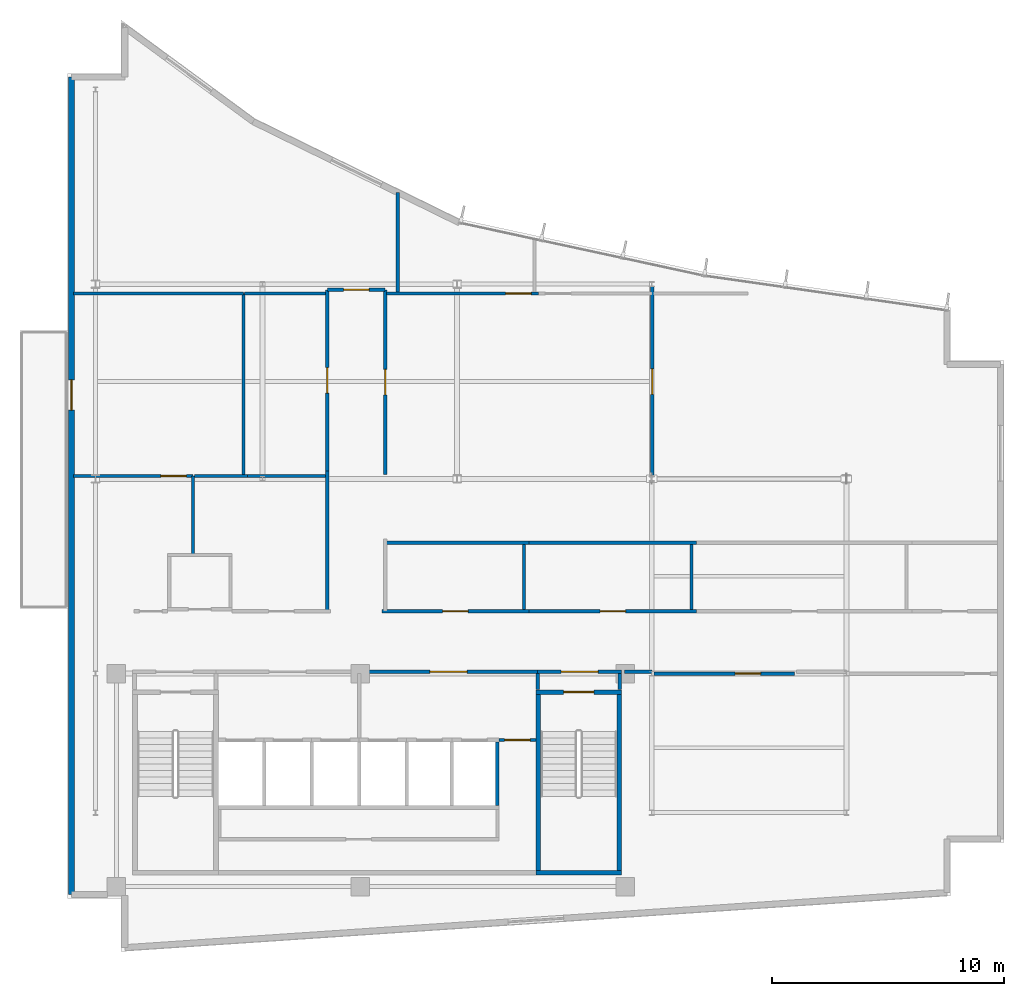
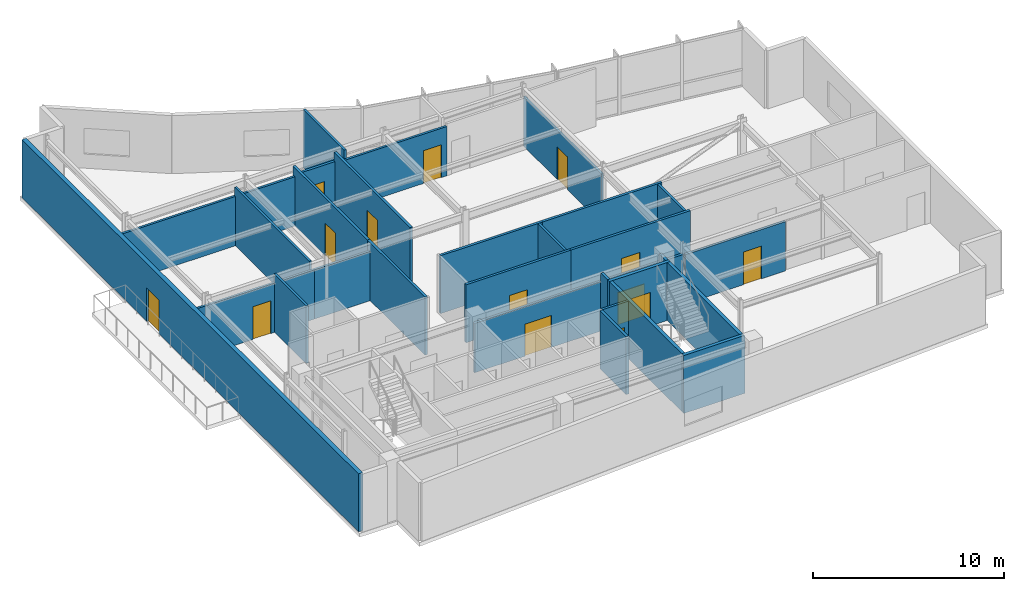
# One storey, part 12 of 16: 33 walls, 14 doors, 14 openings.
"""IFC4 building model written with IfcOpenShell, lengths in metres."""

from ifc_helpers import new_model, si_unit, direction, frame, frame_2d, origin, place, context, subcontext, project, spatial, rectangle, extrude, material, layer, layer_set, type_object, element, fill, save


model = new_model("IFC4")

# Units and contexts
model_context = context("Model", 3, precision=1e-05, world=origin(), true_north=direction((0.0, 1.0)))
body_context = subcontext(model_context, "Body", "Model", "MODEL_VIEW")
ifc_project = project(units=[si_unit("LENGTHUNIT", "METRE"), si_unit("AREAUNIT", "SQUARE_METRE"), si_unit("VOLUMEUNIT", "CUBIC_METRE"), si_unit("PLANEANGLEUNIT", "RADIAN"), si_unit("MASSUNIT", "GRAM", prefix="KILO")], contexts=[model_context])

# Site, building, storey
site_placement = place(None, origin())
site = spatial("IfcSite", under=ifc_project, at=site_placement, CompositionType="ELEMENT")
building_placement = place(site_placement, origin())
building = spatial("IfcBuilding", under=site, at=building_placement, Name="Varnakote Quay Hospital", CompositionType="ELEMENT")
storey_placement = place(building_placement, frame((0.0, 0.0, 288.14990234375)))
storey = spatial("IfcBuildingStorey", under=building, at=storey_placement, Name="L71", CompositionType="ELEMENT", Elevation=288.14990234375)

# Wall, opening, door
ifc_material_1 = material(Name="Fire-rated acoustic gypsum stud wall", Category="gypsum")
ifc_layer_1 = layer(ifc_material_1, 0.159912109375)
ifc_layer_set_1 = layer_set([ifc_layer_1], Name="Fire-rated acoustic gypsum stud wall")
wall_type_1 = type_object("IfcWallType", Name="WL-COMP-160", PredefinedType="PARTITIONING", material=ifc_layer_set_1)
wall_1_placement = place(storey_placement, frame((12.580078125, 12.080078125, 0.0), z_axis=(0.0, 0.0, 1.0), x_axis=(1.0, 0.0, 0.0)))
wall_1 = element("IfcWall", 1, at=wall_1_placement, inside=storey, type_object=wall_type_1, Name="L71 Clinical Bed Lift Lobby Wall", PredefinedType="PARTITIONING", context=body_context, shape_type="SweptSolid", body=[
    extrude(rectangle(XDim=7.699951171875, YDim=0.159912109375, at=frame_2d((3.85009765625, 0.0))), origin(), (0.0, 0.0, 1.0), 3.156982421875),
])
opening_1_placement = place(wall_1_placement, frame((3.050048828125, 0.0, 0.0)))
opening_1 = element("IfcOpeningElement", 2, at=opening_1_placement, cuts=wall_1, Name="Opening D-SVL-L71", PredefinedType="OPENING", context=body_context, shape_type="SweptSolid", body=[
    extrude(rectangle(XDim=1.60009765625, YDim=2.050048828125, at=frame_2d((0.800048828125, 1.02490234375))), frame((0.0, 0.08984375, 0.0), z_axis=(0.0, -1.0, 0.0), x_axis=(1.0, 0.0, 0.0)), (0.0, 0.0, 1.0), 0.179931640625),
])
ifc_material_2 = material(Name="Fire-rated double smoke lobby door")
door_type_1 = type_object("IfcDoorType", Name="DR-LOBBY-FD60S-1600x2150", OperationType="NOTDEFINED", PredefinedType="DOOR", material=ifc_material_2)
door_1_placement = place(opening_1_placement, origin())
door_1 = element("IfcDoor", 3, at=door_1_placement, inside=storey, type_object=door_type_1, Name="L71 Clinical Core Smoke Vestibule Door", OperationType="DOUBLE_DOOR_SINGLE_SWING", OverallHeight=2.050048828125, OverallWidth=1.60009765625, PredefinedType="DOOR", context=body_context, shape_type="SweptSolid", body=[
    extrude(rectangle(XDim=1.60009765625, YDim=2.050048828125, at=frame_2d((0.800048828125, 1.02490234375))), frame((0.0, 0.02490234375, 0.0), z_axis=(0.0, -1.0, 0.0), x_axis=(1.0, 0.0, 0.0)), (0.0, 0.0, 1.0), 0.050048828125),
])
fill(opening_1, door_1)

# Wall
wall_2_placement = place(storey_placement, frame((20.280029296875, 11.300048828125, 0.0), z_axis=(0.0, 0.0, 1.0), x_axis=(0.0, 1.0, 0.0)))
element("IfcWall", 4, at=wall_2_placement, inside=storey, type_object=wall_type_1, Name="L71 East Stair Vestibule Divider Wall", PredefinedType="PARTITIONING", context=body_context, shape_type="SweptSolid", body=[
    extrude(rectangle(XDim=0.699951171875, YDim=0.159912109375, at=frame_2d((0.35009765625, 0.0))), origin(), (0.0, 0.0, 1.0), 3.710205078125),
])

# Wall, opening, door
wall_3_placement = place(storey_placement, frame((20.280029296875, 12.080078125, 0.0), z_axis=(0.0, 0.0, 1.0), x_axis=(1.0, 0.0, 0.0)))
wall_3 = element("IfcWall", 5, at=wall_3_placement, inside=storey, type_object=wall_type_1, Name="L71 East Stair Vestibule Smoke Wall", PredefinedType="PARTITIONING", context=body_context, shape_type="SweptSolid", body=[
    extrude(rectangle(XDim=3.619873046875, YDim=0.159912109375, at=frame_2d((1.81005859375, 0.0))), origin(), (0.0, 0.0, 1.0), 3.156982421875),
])
opening_2_placement = place(wall_3_placement, frame((1.010009765625, 0.0, 0.0)))
opening_2 = element("IfcOpeningElement", 6, at=opening_2_placement, cuts=wall_3, Name="Opening D-ST2L-L71", PredefinedType="OPENING", context=body_context, shape_type="SweptSolid", body=[
    extrude(rectangle(XDim=1.60009765625, YDim=2.050048828125, at=frame_2d((0.800048828125, 1.02490234375))), frame((0.0, 0.08984375, 0.0), z_axis=(0.0, -1.0, 0.0), x_axis=(1.0, 0.0, 0.0)), (0.0, 0.0, 1.0), 0.179931640625),
])
door_2_placement = place(opening_2_placement, origin())
door_2 = element("IfcDoor", 7, at=door_2_placement, inside=storey, type_object=door_type_1, Name="L71 East Stair Vestibule Smoke Door", OperationType="DOUBLE_DOOR_SINGLE_SWING", OverallHeight=2.050048828125, OverallWidth=1.60009765625, PredefinedType="DOOR", context=body_context, shape_type="SweptSolid", body=[
    extrude(rectangle(XDim=1.60009765625, YDim=2.050048828125, at=frame_2d((0.800048828125, 1.02490234375))), frame((0.0, 0.02490234375, 0.0), z_axis=(0.0, -1.0, 0.0), x_axis=(1.0, 0.0, 0.0)), (0.0, 0.0, 1.0), 0.050048828125),
])
fill(opening_2, door_2)

# Walls
wall_4_placement = place(storey_placement, frame((23.820068359375, 11.300048828125, 0.0), z_axis=(0.0, 0.0, 1.0), x_axis=(0.0, 1.0, 0.0)))
element("IfcWall", 8, at=wall_4_placement, inside=storey, type_object=wall_type_1, Name="L71 East Stair Vestibule East Wall", PredefinedType="PARTITIONING", context=body_context, shape_type="SweptSolid", body=[
    extrude(rectangle(XDim=0.699951171875, YDim=0.159912109375, at=frame_2d((0.35009765625, 0.0))), origin(), (0.0, 0.0, 1.0), 3.710205078125),
])
wall_5_placement = place(storey_placement, frame((24.02001953125, 12.080078125, 0.0), z_axis=(0.0, 0.0, 1.0), x_axis=(1.0, 0.0, 0.0)))
element("IfcWall", 9, at=wall_5_placement, inside=storey, type_object=wall_type_1, Name="L71 Corridor South Gap Wall", PredefinedType="PARTITIONING", context=body_context, shape_type="SweptSolid", body=[
    extrude(rectangle(XDim=1.193115234375, YDim=0.159912109375, at=frame_2d((0.5966796875, 0.0))), origin(), (0.0, 0.0, 1.0), 3.156982421875),
])

# Wall, opening, door
ifc_material_3 = material(Name="Precast concrete N50 (f'c 50 MPa)", Category="concrete")
ifc_layer_2 = layer(ifc_material_3, 0.260009765625)
ifc_layer_set_2 = layer_set([ifc_layer_2], Name="Precast concrete N50 (f'c 50 MPa)")
wall_type_2 = type_object("IfcWallType", Name="WL-EXT-BRICK-260", PredefinedType="STANDARD", material=ifc_layer_set_2)
wall_6_placement = place(storey_placement, frame((0.159912109375, 37.739990234375, 0.0), z_axis=(0.0, 0.0, 1.0), x_axis=(0.0, -1.0, 0.0)))
wall_6 = element("IfcWall", 10, at=wall_6_placement, inside=storey, type_object=wall_type_2, Name="L71 Healing Terrace Portal Brick Wall", PredefinedType="STANDARD", context=body_context, shape_type="SweptSolid", body=[
    extrude(rectangle(XDim=35.280029296875, YDim=0.260009765625, at=frame_2d((17.64013671875, 0.0))), origin(), (0.0, 0.0, 1.0), 3.710205078125),
])
opening_3_placement = place(wall_6_placement, frame((13.070068359375, 0.0, 0.0)))
opening_3 = element("IfcOpeningElement", 11, at=opening_3_placement, cuts=wall_6, Name="Opening DT-L71", PredefinedType="OPENING", context=body_context, shape_type="SweptSolid", body=[
    extrude(rectangle(XDim=1.300048828125, YDim=2.14990234375, at=frame_2d((0.64990234375, 1.074951171875))), frame((0.0, 0.139892578125, 0.0), z_axis=(0.0, -1.0, 0.0), x_axis=(1.0, 0.0, 0.0)), (0.0, 0.0, 1.0), 0.280029296875),
])
ifc_material_4 = material(Name="Anodised aluminium glazed terrace door", Category="aluminium")
door_type_2 = type_object("IfcDoorType", Name="DR-EXT-TERR-1300x2150", OperationType="NOTDEFINED", PredefinedType="DOOR", material=ifc_material_4)
door_3_placement = place(opening_3_placement, origin())
door_3 = element("IfcDoor", 12, at=door_3_placement, inside=storey, type_object=door_type_2, Name="L71 Waterfront Healing Terrace Door", OperationType="SINGLE_SWING_RIGHT", OverallHeight=2.14990234375, OverallWidth=1.300048828125, PredefinedType="DOOR", context=body_context, shape_type="SweptSolid", body=[
    extrude(rectangle(XDim=1.300048828125, YDim=2.14990234375, at=frame_2d((0.64990234375, 1.074951171875))), frame((0.0, 0.02490234375, 0.0), z_axis=(0.0, -1.0, 0.0), x_axis=(1.0, 0.0, 0.0)), (0.0, 0.0, 1.0), 0.050048828125),
])
fill(opening_3, door_3)

# Walls
ifc_material_5 = material(Name="Concrete N50 (f'c 50 MPa)", Category="concrete")
ifc_layer_3 = layer(ifc_material_5, 0.159912109375)
ifc_layer_set_3 = layer_set([ifc_layer_3], Name="Concrete N50 (f'c 50 MPa)")
wall_type_3 = type_object("IfcWallType", Name="WL-SHAFT-N50-160", PredefinedType="SHEAR", material=ifc_layer_set_3)
wall_7_placement = place(storey_placement, frame((18.530029296875, 6.300048828125, 0.0), z_axis=(0.0, 0.0, 1.0), x_axis=(0.0, 1.0, 0.0)))
element("IfcWall", 13, at=wall_7_placement, inside=storey, type_object=wall_type_3, Name="L71 REAR Lift Bank East Shear Wall", PredefinedType="SHEAR", context=body_context, shape_type="SweptSolid", body=[
    extrude(rectangle(XDim=2.75, YDim=0.159912109375, at=frame_2d((1.375, 0.0))), origin(), (0.0, 0.0, 1.0), 3.710205078125),
])
ifc_material_6 = material(Name="Concrete N50 (f'c 50 MPa)", Category="concrete")
ifc_layer_4 = layer(ifc_material_6, 0.199951171875)
ifc_layer_set_4 = layer_set([ifc_layer_4], Name="Concrete N50 (f'c 50 MPa)")
wall_type_4 = type_object("IfcWallType", Name="WL-SHAFT-N50-200", PredefinedType="SHEAR", material=ifc_layer_set_4)
wall_8_placement = place(storey_placement, frame((20.199951171875, 3.39990234375, 0.0), z_axis=(0.0, 0.0, 1.0), x_axis=(1.0, 0.0, 0.0)))
element("IfcWall", 14, at=wall_8_placement, inside=storey, type_object=wall_type_4, Name="L71 Stair ST2 South Shaft Wall", PredefinedType="SHEAR", context=body_context, shape_type="SweptSolid", body=[
    extrude(rectangle(XDim=3.699951171875, YDim=0.199951171875, at=frame_2d((1.85009765625, 0.0))), origin(), (0.0, 0.0, 1.0), 3.710205078125),
])
for number, where, z_axis, x_axis, name in (
    (15, (20.300048828125, 3.5, 0.0), (0.0, 0.0, 1.0), (0.0, 1.0, 0.0), "L71 Stair ST2 West Shaft Wall"),
    (16, (23.800048828125, 3.5, 0.0), (0.0, 0.0, 1.0), (0.0, 1.0, 0.0), "L71 Stair ST2 East Shaft Wall"),
):
    element("IfcWall", number, at=place(storey_placement, frame(where, z_axis=z_axis, x_axis=x_axis)), inside=storey, type_object=wall_type_4, Name=name, PredefinedType="SHEAR", context=body_context, shape_type="SweptSolid", body=[
        extrude(rectangle(XDim=7.60009765625, YDim=0.199951171875, at=frame_2d((3.800048828125, 0.0))), origin(), (0.0, 0.0, 1.0), 3.710205078125),
    ])

# Wall, opening, door
wall_9_placement = place(storey_placement, frame((20.199951171875, 11.199951171875, 0.0), z_axis=(0.0, 0.0, 1.0), x_axis=(1.0, 0.0, 0.0)))
wall_9 = element("IfcWall", 17, at=wall_9_placement, inside=storey, type_object=wall_type_4, Name="L71 Stair ST2 Exit Wall", PredefinedType="SHEAR", context=body_context, shape_type="SweptSolid", body=[
    extrude(rectangle(XDim=3.699951171875, YDim=0.199951171875, at=frame_2d((1.85009765625, 0.0))), origin(), (0.0, 0.0, 1.0), 3.710205078125),
])
opening_4_placement = place(wall_9_placement, frame((1.199951171875, 0.0, 0.0)))
opening_4 = element("IfcOpeningElement", 18, at=opening_4_placement, cuts=wall_9, Name="Opening D-ST2-L71", PredefinedType="OPENING", context=body_context, shape_type="SweptSolid", body=[
    extrude(rectangle(XDim=1.300048828125, YDim=2.14990234375, at=frame_2d((0.64990234375, 1.074951171875))), frame((0.0, 0.10986328125, 0.0), z_axis=(0.0, -1.0, 0.0), x_axis=(1.0, 0.0, 0.0)), (0.0, 0.0, 1.0), 0.219970703125),
])
ifc_material_7 = material(Name="Fire-rated ceramic-glazed timber exit door", Category="wood")
door_type_3 = type_object("IfcDoorType", Name="DR-STAIR-FD60S-1300x2150", OperationType="NOTDEFINED", PredefinedType="DOOR", material=ifc_material_7)
door_4_placement = place(opening_4_placement, origin())
door_4 = element("IfcDoor", 19, at=door_4_placement, inside=storey, type_object=door_type_3, Name="L71 Stair ST2 Fire Exit Door", OperationType="SINGLE_SWING_LEFT", OverallHeight=2.14990234375, OverallWidth=1.300048828125, PredefinedType="DOOR", context=body_context, shape_type="SweptSolid", body=[
    extrude(rectangle(XDim=1.300048828125, YDim=2.14990234375, at=frame_2d((0.64990234375, 1.074951171875))), frame((0.0, 0.02490234375, 0.0), z_axis=(0.0, -1.0, 0.0), x_axis=(1.0, 0.0, 0.0)), (0.0, 0.0, 1.0), 0.050048828125),
])
fill(opening_4, door_4)

# Wall
ifc_material_8 = material(Name="Smoke-proof clinical partition", Category="gypsum")
ifc_layer_5 = layer(ifc_material_8, 0.135009765625)
ifc_layer_set_5 = layer_set([ifc_layer_5], Name="Smoke-proof clinical partition")
wall_type_5 = type_object("IfcWallType", Name="WL-SMOKE-135", PredefinedType="PARTITIONING", material=ifc_layer_set_5)
wall_10_placement = place(storey_placement, frame((5.409912109375, 17.139892578125, 0.0), z_axis=(0.0, 0.0, 1.0), x_axis=(0.0, 1.0, 0.0)))
element("IfcWall", 20, at=wall_10_placement, inside=storey, type_object=wall_type_5, Name="L71 Clinical Interior Partition", PredefinedType="PARTITIONING", context=body_context, shape_type="SweptSolid", body=[
    extrude(rectangle(XDim=3.380126953125, YDim=0.135009765625, at=frame_2d((1.68994140625, 0.0))), origin(), (0.0, 0.0, 1.0), 3.710205078125),
])

# Wall, opening, door
wall_11_placement = place(storey_placement, frame((5.409912109375, 20.52001953125, 0.0), z_axis=(0.0, 0.0, 1.0), x_axis=(-1.0, 0.0, 0.0)))
wall_11 = element("IfcWall", 21, at=wall_11_placement, inside=storey, type_object=wall_type_5, Name="L71 Clinical Interior Partition", PredefinedType="PARTITIONING", context=body_context, shape_type="SweptSolid", body=[
    extrude(rectangle(XDim=5.169921875, YDim=0.135009765625, at=frame_2d((2.5849609375, 0.0))), origin(), (0.0, 0.0, 1.0), 3.156982421875),
])
opening_5_placement = place(wall_11_placement, frame((0.291748046875, 0.0, 0.0)))
opening_5 = element("IfcOpeningElement", 22, at=opening_5_placement, cuts=wall_11, Name="Opening D-L71-DLNG", PredefinedType="OPENING", context=body_context, shape_type="SweptSolid", body=[
    extrude(rectangle(XDim=1.10009765625, YDim=2.10009765625, at=frame_2d((0.550048828125, 1.050048828125))), frame((0.0, 0.077392578125, 0.0), z_axis=(0.0, -1.0, 0.0), x_axis=(1.0, 0.0, 0.0)), (0.0, 0.0, 1.0), 0.155029296875),
])
ifc_material_9 = material(Name="Acoustic timber clinical consult door", Category="wood")
door_type_4 = type_object("IfcDoorType", Name="DR-CLIN-FD30S-1100x2100", OperationType="NOTDEFINED", PredefinedType="DOOR", material=ifc_material_9)
door_5_placement = place(opening_5_placement, origin())
door_5 = element("IfcDoor", 23, at=door_5_placement, inside=storey, type_object=door_type_4, Name="L71 Waterfront Patient & Family Dayroom Door", OperationType="SINGLE_SWING_RIGHT", OverallHeight=2.10009765625, OverallWidth=1.10009765625, PredefinedType="DOOR", context=body_context, shape_type="SweptSolid", body=[
    extrude(rectangle(XDim=1.10009765625, YDim=2.10009765625, at=frame_2d((0.550048828125, 1.050048828125))), frame((0.0, 0.02490234375, 0.0), z_axis=(0.0, -1.0, 0.0), x_axis=(1.0, 0.0, 0.0)), (0.0, 0.0, 1.0), 0.050048828125),
])
fill(opening_5, door_5)

# Walls
wall_12_placement = place(storey_placement, frame((7.758544921875, 20.52001953125, 0.0), z_axis=(0.0, 0.0, 1.0), x_axis=(-1.0, 0.0, 0.0)))
element("IfcWall", 24, at=wall_12_placement, inside=storey, type_object=wall_type_5, Name="L71 Clinical Interior Partition", PredefinedType="PARTITIONING", context=body_context, shape_type="SweptSolid", body=[
    extrude(rectangle(XDim=2.291015625, YDim=0.135009765625, at=frame_2d((1.1455078125, 0.0))), origin(), (0.0, 0.0, 1.0), 3.156982421875),
])
wall_13_placement = place(storey_placement, frame((11.1201171875, 20.52001953125, 0.0), z_axis=(0.0, 0.0, 1.0), x_axis=(-1.0, 0.0, 0.0)))
element("IfcWall", 25, at=wall_13_placement, inside=storey, type_object=wall_type_5, Name="L71 Clinical Interior Partition", PredefinedType="PARTITIONING", context=body_context, shape_type="SweptSolid", body=[
    extrude(rectangle(XDim=3.359619140625, YDim=0.135009765625, at=frame_2d((1.6796875, 0.0))), origin(), (0.0, 0.0, 1.0), 3.156982421875),
])
for number, where, z_axis, x_axis, name in (
    (26, (19.679931640625, 14.760009765625, 0.0), (0.0, 0.0, 1.0), (0.0, 1.0, 0.0), "L71 Clinical Interior Partition"),
    (27, (26.909912109375, 14.760009765625, 0.0), (0.0, 0.0, 1.0), (0.0, 1.0, 0.0), "L71 Clinical Interior Partition"),
):
    element("IfcWall", number, at=place(storey_placement, frame(where, z_axis=z_axis, x_axis=x_axis)), inside=storey, type_object=wall_type_5, Name=name, PredefinedType="PARTITIONING", context=body_context, shape_type="SweptSolid", body=[
        extrude(rectangle(XDim=2.81005859375, YDim=0.135009765625, at=frame_2d((1.405029296875, 0.0))), origin(), (0.0, 0.0, 1.0), 3.710205078125),
    ])
wall_14_placement = place(storey_placement, frame((7.580078125, 20.577392578125, 0.0), z_axis=(0.0, 0.0, 1.0), x_axis=(0.0, 1.0, 0.0)))
element("IfcWall", 28, at=wall_14_placement, inside=storey, type_object=wall_type_5, Name="L71 Clinical Interior Partition", PredefinedType="PARTITIONING", context=body_context, shape_type="SweptSolid", body=[
    extrude(rectangle(XDim=7.822509765625, YDim=0.135009765625, at=frame_2d((3.9111328125, 0.0))), origin(), (0.0, 0.0, 1.0), 3.710205078125),
])
wall_15_placement = place(storey_placement, frame((7.580078125, 28.39990234375, 0.0), z_axis=(0.0, 0.0, 1.0), x_axis=(-1.0, 0.0, 0.0)))
element("IfcWall", 29, at=wall_15_placement, inside=storey, type_object=wall_type_5, Name="L71 Clinical Interior Partition", PredefinedType="PARTITIONING", context=body_context, shape_type="SweptSolid", body=[
    extrude(rectangle(XDim=7.340087890625, YDim=0.135009765625, at=frame_2d((3.669921875, 0.0))), origin(), (0.0, 0.0, 1.0), 3.156982421875),
])
wall_16_placement = place(storey_placement, frame((11.1201171875, 28.39990234375, 0.0), z_axis=(0.0, 0.0, 1.0), x_axis=(-1.0, 0.0, 0.0)))
element("IfcWall", 30, at=wall_16_placement, inside=storey, type_object=wall_type_5, Name="L71 Clinical Interior Partition", PredefinedType="PARTITIONING", context=body_context, shape_type="SweptSolid", body=[
    extrude(rectangle(XDim=3.482666015625, YDim=0.135009765625, at=frame_2d((1.7412109375, 0.0))), origin(), (0.0, 0.0, 1.0), 3.156982421875),
])

# Wall, opening, door
wall_17_placement = place(storey_placement, frame((25.219970703125, 20.5048828125, 0.0), z_axis=(0.0, 0.0, 1.0), x_axis=(0.0, 1.0, 0.0)))
wall_17 = element("IfcWall", 31, at=wall_17_placement, inside=storey, type_object=wall_type_5, Name="L71 Clinical Interior Partition", PredefinedType="PARTITIONING", context=body_context, shape_type="SweptSolid", body=[
    extrude(rectangle(XDim=8.190185546875, YDim=0.135009765625, at=frame_2d((4.09521484375, 0.0))), origin(), (0.0, 0.0, 1.0), 3.156982421875),
])
opening_6_placement = place(wall_17_placement, frame((3.544921875, 0.0, 0.0)))
opening_6 = element("IfcOpeningElement", 32, at=opening_6_placement, cuts=wall_17, Name="Opening D-L71-MD08", PredefinedType="OPENING", context=body_context, shape_type="SweptSolid", body=[
    extrude(rectangle(XDim=1.10009765625, YDim=2.10009765625, at=frame_2d((0.550048828125, 1.050048828125))), frame((0.0, 0.077392578125, 0.0), z_axis=(0.0, -1.0, 0.0), x_axis=(1.0, 0.0, 0.0)), (0.0, 0.0, 1.0), 0.155029296875),
])
door_6_placement = place(opening_6_placement, origin())
door_6 = element("IfcDoor", 33, at=door_6_placement, inside=storey, type_object=door_type_4, Name="L71 Trauma Handover Meeting Room Door", OperationType="SINGLE_SWING_LEFT", OverallHeight=2.10009765625, OverallWidth=1.10009765625, PredefinedType="DOOR", context=body_context, shape_type="SweptSolid", body=[
    extrude(rectangle(XDim=1.10009765625, YDim=2.10009765625, at=frame_2d((0.550048828125, 1.050048828125))), frame((0.0, 0.02490234375, 0.0), z_axis=(0.0, -1.0, 0.0), x_axis=(1.0, 0.0, 0.0)), (0.0, 0.0, 1.0), 0.050048828125),
])
fill(opening_6, door_6)

wall_18_placement = place(storey_placement, frame((20.318603515625, 28.39990234375, 0.0), z_axis=(0.0, 0.0, 1.0), x_axis=(-1.0, 0.0, 0.0)))
wall_18 = element("IfcWall", 34, at=wall_18_placement, inside=storey, type_object=wall_type_5, Name="L71 Clinical Interior Partition", PredefinedType="PARTITIONING", context=body_context, shape_type="SweptSolid", body=[
    extrude(rectangle(XDim=6.5537109375, YDim=0.135009765625, at=frame_2d((3.27685546875, 0.0))), origin(), (0.0, 0.0, 1.0), 3.156982421875),
])
opening_7_placement = place(wall_18_placement, frame((0.326416015625, 0.0, 0.0)))
opening_7 = element("IfcOpeningElement", 35, at=opening_7_placement, cuts=wall_18, Name="Opening D-L71-MD10", PredefinedType="OPENING", context=body_context, shape_type="SweptSolid", body=[
    extrude(rectangle(XDim=1.10009765625, YDim=2.10009765625, at=frame_2d((0.550048828125, 1.050048828125))), frame((0.0, 0.077392578125, 0.0), z_axis=(0.0, -1.0, 0.0), x_axis=(1.0, 0.0, 0.0)), (0.0, 0.0, 1.0), 0.155029296875),
])
door_7_placement = place(opening_7_placement, origin())
door_7 = element("IfcDoor", 36, at=door_7_placement, inside=storey, type_object=door_type_4, Name="L71 Trauma Step-Down Treatment Suite Door", OperationType="SINGLE_SWING_RIGHT", OverallHeight=2.10009765625, OverallWidth=1.10009765625, PredefinedType="DOOR", context=body_context, shape_type="SweptSolid", body=[
    extrude(rectangle(XDim=1.10009765625, YDim=2.10009765625, at=frame_2d((0.550048828125, 1.050048828125))), frame((0.0, 0.02490234375, 0.0), z_axis=(0.0, -1.0, 0.0), x_axis=(1.0, 0.0, 0.0)), (0.0, 0.0, 1.0), 0.050048828125),
])
fill(opening_7, door_7)

# Wall
wall_19_placement = place(storey_placement, frame((14.239990234375, 28.45751953125, 0.0), z_axis=(0.0, 0.0, 1.0), x_axis=(0.0, 1.0, 0.0)))
element("IfcWall", 37, at=wall_19_placement, inside=storey, type_object=wall_type_5, Name="L71 Clinical Interior Partition", PredefinedType="PARTITIONING", context=body_context, shape_type="SweptSolid", body=[
    extrude(rectangle(XDim=4.29443359375, YDim=0.135009765625, at=frame_2d((2.147216796875, 0.0))), origin(), (0.0, 0.0, 1.0), 3.710205078125),
])

# Wall, opening, door
ifc_material_10 = material(Name="Fire-rated clinical gypsum partition", Category="gypsum")
ifc_layer_6 = layer(ifc_material_10, 0.139892578125)
ifc_layer_set_6 = layer_set([ifc_layer_6], Name="Fire-rated clinical gypsum partition")
wall_type_6 = type_object("IfcWallType", Name="WL-WARD-140", PredefinedType="PARTITIONING", material=ifc_layer_set_6)
wall_20_placement = place(storey_placement, frame((18.610107421875, 9.1298828125, 0.0), z_axis=(0.0, 0.0, 1.0), x_axis=(1.0, 0.0, 0.0)))
wall_20 = element("IfcWall", 38, at=wall_20_placement, inside=storey, type_object=wall_type_6, Name="L71 Core Service Corridor North Door Wall", PredefinedType="PARTITIONING", context=body_context, shape_type="SweptSolid", body=[
    extrude(rectangle(XDim=1.58984375, YDim=0.139892578125, at=frame_2d((0.794921875, 0.0))), origin(), (0.0, 0.0, 1.0), 3.710205078125),
])
opening_8_placement = place(wall_20_placement, frame((0.239990234375, 0.0, 0.0)))
opening_8 = element("IfcOpeningElement", 39, at=opening_8_placement, cuts=wall_20, Name="Opening D-CSRV-L71", PredefinedType="OPENING", context=body_context, shape_type="SweptSolid", body=[
    extrude(rectangle(XDim=1.10009765625, YDim=2.10009765625, at=frame_2d((0.550048828125, 1.050048828125))), frame((0.0, 0.079833984375, 0.0), z_axis=(0.0, -1.0, 0.0), x_axis=(1.0, 0.0, 0.0)), (0.0, 0.0, 1.0), 0.159912109375),
])
door_8_placement = place(opening_8_placement, origin())
door_8 = element("IfcDoor", 40, at=door_8_placement, inside=storey, type_object=door_type_4, Name="L71 Core Service Corridor Door", OperationType="SINGLE_SWING_LEFT", OverallHeight=2.10009765625, OverallWidth=1.10009765625, PredefinedType="DOOR", context=body_context, shape_type="SweptSolid", body=[
    extrude(rectangle(XDim=1.10009765625, YDim=2.10009765625, at=frame_2d((0.550048828125, 1.050048828125))), frame((0.0, 0.02490234375, 0.0), z_axis=(0.0, -1.0, 0.0), x_axis=(1.0, 0.0, 0.0)), (0.0, 0.0, 1.0), 0.050048828125),
])
fill(opening_8, door_8)

ifc_material_11 = material(Name="Fire-rated clinical gypsum partition", Category="gypsum")
ifc_layer_7 = layer(ifc_material_11, 0.14990234375)
ifc_layer_set_7 = layer_set([ifc_layer_7], Name="Fire-rated clinical gypsum partition")
wall_type_7 = type_object("IfcWallType", Name="WL-WARD-150", PredefinedType="PARTITIONING", material=ifc_layer_set_7)
wall_21_placement = place(storey_placement, frame((31.35009765625, 12.0, 0.0), z_axis=(0.0, 0.0, 1.0), x_axis=(-1.0, 0.0, 0.0)))
wall_21 = element("IfcWall", 41, at=wall_21_placement, inside=storey, type_object=wall_type_7, Name="L71 Clinical Interior Partition", PredefinedType="PARTITIONING", context=body_context, shape_type="SweptSolid", body=[
    extrude(rectangle(XDim=6.047607421875, YDim=0.14990234375, at=frame_2d((3.02392578125, 0.0))), origin(), (0.0, 0.0, 1.0), 3.156982421875),
])
opening_9_placement = place(wall_21_placement, frame((1.45068359375, 0.0, 0.0)))
opening_9 = element("IfcOpeningElement", 42, at=opening_9_placement, cuts=wall_21, Name="Opening D-L71-RL1", PredefinedType="OPENING", context=body_context, shape_type="SweptSolid", body=[
    extrude(rectangle(XDim=1.10009765625, YDim=2.10009765625, at=frame_2d((0.550048828125, 1.050048828125))), frame((0.0, 0.0849609375, 0.0), z_axis=(0.0, -1.0, 0.0), x_axis=(1.0, 0.0, 0.0)), (0.0, 0.0, 1.0), 0.169921875),
])
door_9_placement = place(opening_9_placement, origin())
door_9 = element("IfcDoor", 43, at=door_9_placement, inside=storey, type_object=door_type_4, Name="L71 Day Infusion Treatment Suite Door", OperationType="SINGLE_SWING_LEFT", OverallHeight=2.10009765625, OverallWidth=1.10009765625, PredefinedType="DOOR", context=body_context, shape_type="SweptSolid", body=[
    extrude(rectangle(XDim=1.10009765625, YDim=2.10009765625, at=frame_2d((0.550048828125, 1.050048828125))), frame((0.0, 0.02490234375, 0.0), z_axis=(0.0, -1.0, 0.0), x_axis=(1.0, 0.0, 0.0)), (0.0, 0.0, 1.0), 0.050048828125),
])
fill(opening_9, door_9)

wall_22_placement = place(storey_placement, frame((19.906005859375, 14.679931640625, 0.0), z_axis=(0.0, 0.0, 1.0), x_axis=(-1.0, 0.0, 0.0)))
wall_22 = element("IfcWall", 44, at=wall_22_placement, inside=storey, type_object=wall_type_7, Name="L71 Clinical Interior Partition", PredefinedType="PARTITIONING", context=body_context, shape_type="SweptSolid", body=[
    extrude(rectangle(XDim=6.35205078125, YDim=0.14990234375, at=frame_2d((3.176025390625, 0.0))), origin(), (0.0, 0.0, 1.0), 3.710205078125),
])
opening_10_placement = place(wall_22_placement, frame((2.6259765625, 0.0, 0.0)))
opening_10 = element("IfcOpeningElement", 45, at=opening_10_placement, cuts=wall_22, Name="Opening D-L71-MD03", PredefinedType="OPENING", context=body_context, shape_type="SweptSolid", body=[
    extrude(rectangle(XDim=1.10009765625, YDim=2.10009765625, at=frame_2d((0.550048828125, 1.050048828125))), frame((0.0, 0.0849609375, 0.0), z_axis=(0.0, -1.0, 0.0), x_axis=(1.0, 0.0, 0.0)), (0.0, 0.0, 1.0), 0.169921875),
])
door_10_placement = place(opening_10_placement, origin())
door_10 = element("IfcDoor", 46, at=door_10_placement, inside=storey, type_object=door_type_4, Name="L71 Trauma Coordinator Office Door", OperationType="SINGLE_SWING_LEFT", OverallHeight=2.10009765625, OverallWidth=1.10009765625, PredefinedType="DOOR", context=body_context, shape_type="SweptSolid", body=[
    extrude(rectangle(XDim=1.10009765625, YDim=2.10009765625, at=frame_2d((0.550048828125, 1.050048828125))), frame((0.0, 0.02490234375, 0.0), z_axis=(0.0, -1.0, 0.0), x_axis=(1.0, 0.0, 0.0)), (0.0, 0.0, 1.0), 0.050048828125),
])
fill(opening_10, door_10)

wall_23_placement = place(storey_placement, frame((27.135986328125, 14.679931640625, 0.0), z_axis=(0.0, 0.0, 1.0), x_axis=(-1.0, 0.0, 0.0)))
wall_23 = element("IfcWall", 47, at=wall_23_placement, inside=storey, type_object=wall_type_7, Name="L71 Clinical Interior Partition", PredefinedType="PARTITIONING", context=body_context, shape_type="SweptSolid", body=[
    extrude(rectangle(XDim=7.22802734375, YDim=0.14990234375, at=frame_2d((3.614013671875, 0.0))), origin(), (0.0, 0.0, 1.0), 3.710205078125),
])
opening_11_placement = place(wall_23_placement, frame((3.06396484375, 0.0, 0.0)))
opening_11 = element("IfcOpeningElement", 48, at=opening_11_placement, cuts=wall_23, Name="Opening D-L71-MD04", PredefinedType="OPENING", context=body_context, shape_type="SweptSolid", body=[
    extrude(rectangle(XDim=1.10009765625, YDim=2.10009765625, at=frame_2d((0.550048828125, 1.050048828125))), frame((0.0, 0.0849609375, 0.0), z_axis=(0.0, -1.0, 0.0), x_axis=(1.0, 0.0, 0.0)), (0.0, 0.0, 1.0), 0.169921875),
])
door_11_placement = place(opening_11_placement, origin())
door_11 = element("IfcDoor", 49, at=door_11_placement, inside=storey, type_object=door_type_4, Name="L71 Trauma Handover Meeting Room Door", OperationType="SINGLE_SWING_RIGHT", OverallHeight=2.10009765625, OverallWidth=1.10009765625, PredefinedType="DOOR", context=body_context, shape_type="SweptSolid", body=[
    extrude(rectangle(XDim=1.10009765625, YDim=2.10009765625, at=frame_2d((0.550048828125, 1.050048828125))), frame((0.0, 0.02490234375, 0.0), z_axis=(0.0, -1.0, 0.0), x_axis=(1.0, 0.0, 0.0)), (0.0, 0.0, 1.0), 0.050048828125),
])
fill(opening_11, door_11)

# Wall
wall_24_placement = place(storey_placement, frame((11.199951171875, 20.74609375, 0.0), z_axis=(0.0, 0.0, 1.0), x_axis=(0.0, -1.0, 0.0)))
element("IfcWall", 50, at=wall_24_placement, inside=storey, type_object=wall_type_7, Name="L71 Clinical Interior Partition", PredefinedType="PARTITIONING", context=body_context, shape_type="SweptSolid", body=[
    extrude(rectangle(XDim=6.046142578125, YDim=0.14990234375, at=frame_2d((3.02294921875, 0.0))), origin(), (0.0, 0.0, 1.0), 3.710205078125),
])

# Wall, opening, door
wall_25_placement = place(storey_placement, frame((11.199951171875, 28.56005859375, 0.0), z_axis=(0.0, 0.0, 1.0), x_axis=(0.0, -1.0, 0.0)))
wall_25 = element("IfcWall", 51, at=wall_25_placement, inside=storey, type_object=wall_type_7, Name="L71 Clinical Interior Partition", PredefinedType="PARTITIONING", context=body_context, shape_type="SweptSolid", body=[
    extrude(rectangle(XDim=7.81201171875, YDim=0.14990234375, at=frame_2d((3.906005859375, 0.0))), origin(), (0.0, 0.0, 1.0), 3.710205078125),
])
opening_12_placement = place(wall_25_placement, frame((3.35595703125, 0.0, 0.0)))
opening_12 = element("IfcOpeningElement", 52, at=opening_12_placement, cuts=wall_25, Name="Opening D-L71-WPNT", PredefinedType="OPENING", context=body_context, shape_type="SweptSolid", body=[
    extrude(rectangle(XDim=1.10009765625, YDim=2.10009765625, at=frame_2d((0.550048828125, 1.050048828125))), frame((0.0, 0.0849609375, 0.0), z_axis=(0.0, -1.0, 0.0), x_axis=(1.0, 0.0, 0.0)), (0.0, 0.0, 1.0), 0.169921875),
])
door_12_placement = place(opening_12_placement, origin())
door_12 = element("IfcDoor", 53, at=door_12_placement, inside=storey, type_object=door_type_4, Name="L71 Ward Clinical Nutrition Pantry Door", OperationType="SINGLE_SWING_LEFT", OverallHeight=2.10009765625, OverallWidth=1.10009765625, PredefinedType="DOOR", context=body_context, shape_type="SweptSolid", body=[
    extrude(rectangle(XDim=1.10009765625, YDim=2.10009765625, at=frame_2d((0.550048828125, 1.050048828125))), frame((0.0, 0.02490234375, 0.0), z_axis=(0.0, -1.0, 0.0), x_axis=(1.0, 0.0, 0.0)), (0.0, 0.0, 1.0), 0.050048828125),
])
fill(opening_12, door_12)

wall_26_placement = place(storey_placement, frame((13.699951171875, 20.593994140625, 0.0), z_axis=(0.0, 0.0, 1.0), x_axis=(0.0, 1.0, 0.0)))
wall_26 = element("IfcWall", 54, at=wall_26_placement, inside=storey, type_object=wall_type_7, Name="L71 Clinical Interior Partition", PredefinedType="PARTITIONING", context=body_context, shape_type="SweptSolid", body=[
    extrude(rectangle(XDim=7.966064453125, YDim=0.14990234375, at=frame_2d((3.98291015625, 0.0))), origin(), (0.0, 0.0, 1.0), 3.710205078125),
])
opening_13_placement = place(wall_26_placement, frame((3.43310546875, 0.0, 0.0)))
opening_13 = element("IfcOpeningElement", 55, at=opening_13_placement, cuts=wall_26, Name="Opening D-L71-MD07", PredefinedType="OPENING", context=body_context, shape_type="SweptSolid", body=[
    extrude(rectangle(XDim=1.10009765625, YDim=2.10009765625, at=frame_2d((0.550048828125, 1.050048828125))), frame((0.0, 0.0849609375, 0.0), z_axis=(0.0, -1.0, 0.0), x_axis=(1.0, 0.0, 0.0)), (0.0, 0.0, 1.0), 0.169921875),
])
door_13_placement = place(opening_13_placement, origin())
door_13 = element("IfcDoor", 56, at=door_13_placement, inside=storey, type_object=door_type_4, Name="L71 Trauma Coordinator Office Door", OperationType="SINGLE_SWING_RIGHT", OverallHeight=2.10009765625, OverallWidth=1.10009765625, PredefinedType="DOOR", context=body_context, shape_type="SweptSolid", body=[
    extrude(rectangle(XDim=1.10009765625, YDim=2.10009765625, at=frame_2d((0.550048828125, 1.050048828125))), frame((0.0, 0.02490234375, 0.0), z_axis=(0.0, -1.0, 0.0), x_axis=(1.0, 0.0, 0.0)), (0.0, 0.0, 1.0), 0.050048828125),
])
fill(opening_13, door_13)

wall_27_placement = place(storey_placement, frame((13.699951171875, 28.56005859375, 0.0), z_axis=(0.0, 0.0, 1.0), x_axis=(-1.0, 0.0, 0.0)))
wall_27 = element("IfcWall", 57, at=wall_27_placement, inside=storey, type_object=wall_type_7, Name="L71 Clinical Interior Partition", PredefinedType="PARTITIONING", context=body_context, shape_type="SweptSolid", body=[
    extrude(rectangle(XDim=2.5, YDim=0.14990234375, at=frame_2d((1.25, 0.0))), origin(), (0.0, 0.0, 1.0), 3.156982421875),
])
opening_14_placement = place(wall_27_placement, frame((0.699951171875, 0.0, 0.0)))
opening_14 = element("IfcOpeningElement", 58, at=opening_14_placement, cuts=wall_27, Name="Opening D-L71-MD09", PredefinedType="OPENING", context=body_context, shape_type="SweptSolid", body=[
    extrude(rectangle(XDim=1.10009765625, YDim=2.10009765625, at=frame_2d((0.550048828125, 1.050048828125))), frame((0.0, 0.0849609375, 0.0), z_axis=(0.0, -1.0, 0.0), x_axis=(1.0, 0.0, 0.0)), (0.0, 0.0, 1.0), 0.169921875),
])
door_14_placement = place(opening_14_placement, origin())
door_14 = element("IfcDoor", 59, at=door_14_placement, inside=storey, type_object=door_type_4, Name="L71 Ward Clinical Consultation Office Door", OperationType="SINGLE_SWING_LEFT", OverallHeight=2.10009765625, OverallWidth=1.10009765625, PredefinedType="DOOR", context=body_context, shape_type="SweptSolid", body=[
    extrude(rectangle(XDim=1.10009765625, YDim=2.10009765625, at=frame_2d((0.550048828125, 1.050048828125))), frame((0.0, 0.02490234375, 0.0), z_axis=(0.0, -1.0, 0.0), x_axis=(1.0, 0.0, 0.0)), (0.0, 0.0, 1.0), 0.050048828125),
])
fill(opening_14, door_14)

# Walls
wall_28_placement = place(storey_placement, frame((13.719970703125, 17.64990234375, 0.0), z_axis=(0.0, 0.0, 1.0), x_axis=(1.0, 0.0, 0.0)))
element("IfcWall", 60, at=wall_28_placement, inside=storey, type_object=wall_type_7, Name="L71 Clinical Interior Partition", PredefinedType="PARTITIONING", context=body_context, shape_type="SweptSolid", body=[
    extrude(rectangle(XDim=6.18603515625, YDim=0.14990234375, at=frame_2d((3.093017578125, 0.0))), origin(), (0.0, 0.0, 1.0), 3.710205078125),
])
wall_29_placement = place(storey_placement, frame((19.907958984375, 17.64990234375, 0.0), z_axis=(0.0, 0.0, 1.0), x_axis=(1.0, 0.0, 0.0)))
element("IfcWall", 61, at=wall_29_placement, inside=storey, type_object=wall_type_7, Name="L71 Clinical Interior Partition", PredefinedType="PARTITIONING", context=body_context, shape_type="SweptSolid", body=[
    extrude(rectangle(XDim=7.22802734375, YDim=0.14990234375, at=frame_2d((3.614013671875, 0.0))), origin(), (0.0, 0.0, 1.0), 3.710205078125),
])

save(model, "model.ifc")
